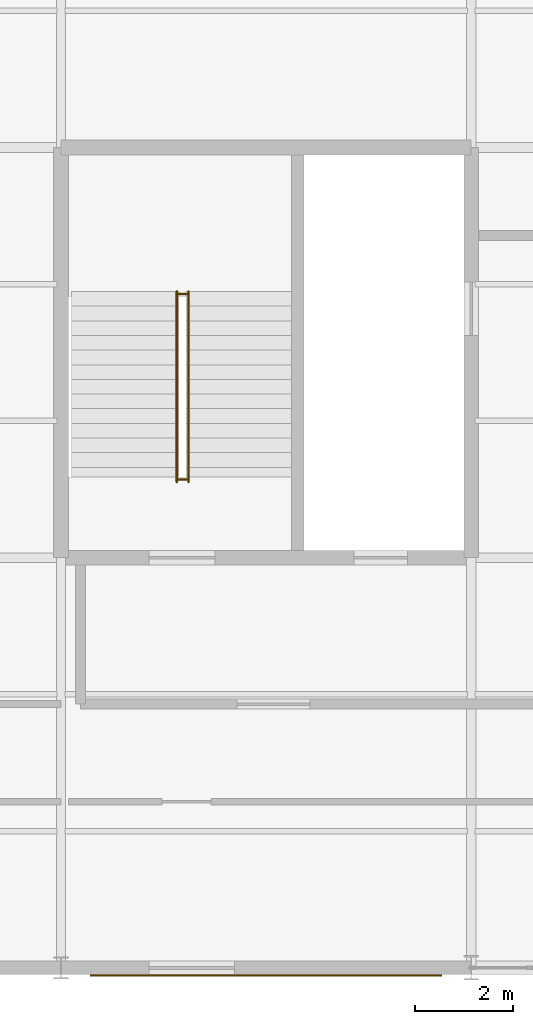
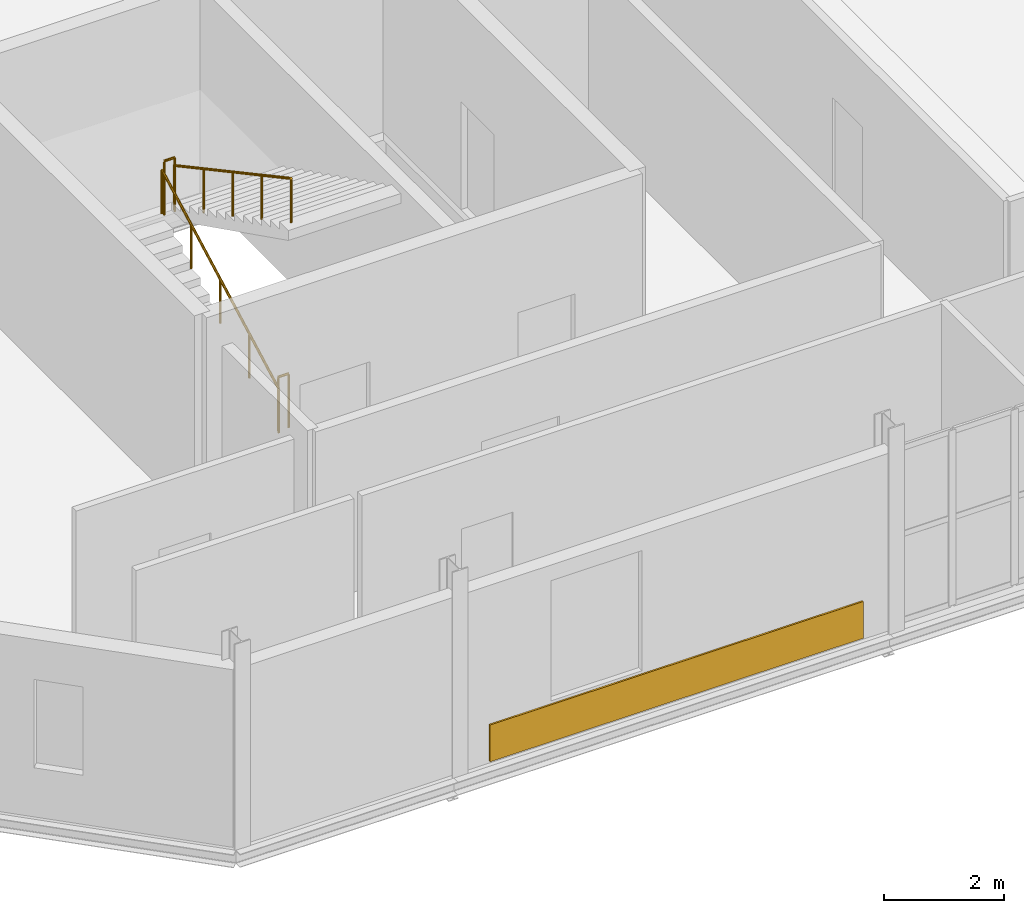
# One storey, part 61 of 65: 4 railings, 1 covering.
"""IFC4 building model written with IfcOpenShell, lengths in metres."""

import ifcopenshell
import ifcopenshell.guid

model = None  # the IFC model being written
_history = None  # IfcOwnerHistory: only IFC2X3 demands one
_inside = {}  # id of a spatial element -> (the spatial element, [elements in it])
_under = {}  # id of a project, library or spatial element -> (it, [spatial elements below it])
_declared = {}  # id of a project -> (the project, [libraries it declares])
_typed = {}  # id of a type object -> (the type object, [elements of that type])
_made_of = {}  # id of a material, layer set ... -> (it, [elements and type objects made of it])


def new_model(schema):
    """Start an empty IFC model of exactly this schema.

    Asked for "IFC4X3", IfcOpenShell would pick the latest addendum, in which some entities
    have other attributes; the version numbers below select the first issue.
    IFC2X3 requires an IfcOwnerHistory on every rooted entity: one is made here for all.
    """
    global model, _history
    if schema == "IFC4X3":
        model = ifcopenshell.file(schema_version=(4, 3, 0, 0))
    else:
        model = ifcopenshell.file(schema=schema)
    _inside.clear()
    _under.clear()
    _declared.clear()
    _typed.clear()
    _made_of.clear()
    _history = None
    if model.schema == "IFC2X3":
        org = make("IfcOrganization", Name="unknown")
        user = make(
            "IfcPersonAndOrganization",
            ThePerson=make("IfcPerson", FamilyName="unknown"),
            TheOrganization=org,
        )
        app = make(
            "IfcApplication",
            ApplicationDeveloper=org,
            Version="unknown",
            ApplicationFullName="unknown",
            ApplicationIdentifier="unknown",
        )
        _history = make(
            "IfcOwnerHistory",
            OwningUser=user,
            OwningApplication=app,
            ChangeAction="ADDED",
            CreationDate=0,
        )
    return model


def make(cls, **values):
    """One entity of the class cls with the attributes given. An attribute that is None is left unset."""
    return model.create_entity(
        cls, **{name: value for name, value in values.items() if value is not None}
    )


def rooted(cls, **values):
    """An entity with a GlobalId (a new one), such as an element, a storey or a relation."""
    return make(cls, GlobalId=ifcopenshell.guid.new(), OwnerHistory=_history, **values)


def si_unit(unit_type, name, prefix=None):
    """IfcSIUnit, for example si_unit("LENGTHUNIT", "METRE", prefix="MILLI")."""
    return make("IfcSIUnit", UnitType=unit_type, Prefix=prefix, Name=name)


def assignment(units):
    """IfcUnitAssignment: the units of a project."""
    return None if units is None else make("IfcUnitAssignment", Units=units)


def point(xyz):
    """IfcCartesianPoint."""
    return None if xyz is None else make("IfcCartesianPoint", Coordinates=xyz)


def direction(xyz):
    """IfcDirection."""
    return None if xyz is None else make("IfcDirection", DirectionRatios=xyz)


def frame(location, z_axis=None, x_axis=None):
    """IfcAxis2Placement3D, a coordinate frame: its origin and axes. An axis left out is left unset."""
    return make(
        "IfcAxis2Placement3D",
        Location=point(location),
        Axis=direction(z_axis),
        RefDirection=direction(x_axis),
    )


def frame_2d(location, x_axis=None):
    """IfcAxis2Placement2D, a coordinate frame in the plane: its origin and x axis."""
    return make(
        "IfcAxis2Placement2D", Location=point(location), RefDirection=direction(x_axis)
    )


def origin():
    """The frame at (0, 0, 0) with its axes left unset."""
    return frame((0.0, 0.0, 0.0))


def origin_2d():
    """The frame at (0, 0) in the plane with its x axis left unset."""
    return frame_2d((0.0, 0.0))


def place(relative_to, where):
    """IfcLocalPlacement: puts the frame where relative to a parent placement (None: the world)."""
    return make(
        "IfcLocalPlacement", PlacementRelTo=relative_to, RelativePlacement=where
    )


def context(
    kind, dimensions, precision=None, world=None, true_north=None, identifier=None
):
    """IfcGeometricRepresentationContext, for example the 3D "Model" context."""
    return make(
        "IfcGeometricRepresentationContext",
        ContextIdentifier=identifier,
        ContextType=kind,
        CoordinateSpaceDimension=dimensions,
        Precision=precision,
        WorldCoordinateSystem=world,
        TrueNorth=true_north,
    )


def subcontext(parent, identifier, kind, view, scale=None):
    """IfcGeometricRepresentationSubContext, for example "Body" below "Model"."""
    return make(
        "IfcGeometricRepresentationSubContext",
        ContextIdentifier=identifier,
        ContextType=kind,
        ParentContext=parent,
        TargetScale=scale,
        TargetView=view,
    )


def project(units=None, contexts=None):
    """IfcProject with its units and contexts."""
    return rooted(
        "IfcProject",
        Name="project",
        RepresentationContexts=contexts,
        UnitsInContext=assignment(units),
    )


def spatial(cls, under=None, at=None, **own):
    """A site, building, storey or space (cls), placed at a placement, below another one or the project."""
    s = rooted(cls, ObjectPlacement=at, **own)
    if under is not None:
        _under.setdefault(under.id(), (under, []))[1].append(s)
    return s


def profile(cls, at=None, kind="AREA", **sizes):
    """A parametric profile (cls). Its sizes go by their IFC names, for example OverallWidth=200.0."""
    return make(cls, ProfileType=kind, Position=at, **sizes)


def rectangle(**sizes):
    """IfcRectangleProfileDef."""
    return profile("IfcRectangleProfileDef", **sizes)


def circle(**sizes):
    """IfcCircleProfileDef."""
    return profile("IfcCircleProfileDef", **sizes)


def extrude(swept, where, along, depth):
    """IfcExtrudedAreaSolid: the profile swept, set in the frame where, extruded along a direction by depth."""
    return make(
        "IfcExtrudedAreaSolid",
        SweptArea=swept,
        Position=where,
        ExtrudedDirection=direction(along),
        Depth=depth,
    )


def shape(context_of_items, identifier, shape_type, items):
    """IfcShapeRepresentation: the items that make up one representation, for example the "Body"."""
    return make(
        "IfcShapeRepresentation",
        ContextOfItems=context_of_items,
        RepresentationIdentifier=identifier,
        RepresentationType=shape_type,
        Items=items,
    )


def material(Name=None, Category=None):
    """IfcMaterial."""
    return make("IfcMaterial", Name=Name, Category=Category)


def layer(
    of_material, thickness, ventilated=None, Name=None, Category=None, Priority=None
):
    """IfcMaterialLayer: one layer of a wall or slab, of a material (None: an air gap)."""
    return make(
        "IfcMaterialLayer",
        Material=of_material,
        LayerThickness=thickness,
        IsVentilated=ventilated,
        Name=Name,
        Category=Category,
        Priority=Priority,
    )


def layer_set(layers, Name=None):
    """IfcMaterialLayerSet."""
    return make("IfcMaterialLayerSet", MaterialLayers=layers, LayerSetName=Name)


def made_of(thing, what):
    """Note that an element or type object is made of a material, layer set ...; save() writes the relation."""
    if what is not None:
        _made_of.setdefault(what.id(), (what, []))[1].append(thing)
    return thing


def type_object(cls, material=None, **own):
    """A type object (cls), such as IfcWallType, which elements share."""
    return made_of(rooted(cls, **own), material)


def element(
    cls,
    number,
    at=None,
    inside=None,
    cuts=None,
    type_object=None,
    material=None,
    context=None,
    identifier="Body",
    shape_type=None,
    held_by="IfcProductDefinitionShape",
    body=None,
    shapes=None,
    **own,
):
    """One element of the class cls, such as IfcWall. Its Tag is "e" and its number.

    at: its placement. inside: the storey or other place that contains it. cuts: it is an
    opening in that element (IfcRelVoidsElement). A single representation is given by context,
    identifier, shape_type and body (its items); several are given by shapes. held_by: the class
    of the entity that holds the representations. save() writes the other relations.
    """
    e = rooted(cls, Tag="e%d" % number, ObjectPlacement=at, **own)
    if body is not None:
        shapes = [shape(context, identifier, shape_type, body)]
    if shapes is not None:
        e.Representation = make(held_by, Representations=shapes)
    if inside is not None:
        _inside.setdefault(inside.id(), (inside, []))[1].append(e)
    if cuts is not None:
        rooted(
            "IfcRelVoidsElement", RelatingBuildingElement=cuts, RelatedOpeningElement=e
        )
    if type_object is not None:
        _typed.setdefault(type_object.id(), (type_object, []))[1].append(e)
    return made_of(e, material)


def aggregate(whole, parts):
    """IfcRelAggregates: a whole, such as a stair, and the parts it consists of."""
    return rooted("IfcRelAggregates", RelatingObject=whole, RelatedObjects=parts)


def save(model, path):
    """Write the relations noted so far, then the file.

    IfcRelAggregates (storeys below a building ...), IfcRelContainedInSpatialStructure (elements
    in a storey), IfcRelDefinesByType, IfcRelAssociatesMaterial and IfcRelDeclares: one each for
    every whole, place, type object, material and project.
    """
    for whole, parts in _under.values():
        aggregate(whole, parts)
    for where, things in _inside.values():
        rooted(
            "IfcRelContainedInSpatialStructure",
            RelatedElements=things,
            RelatingStructure=where,
        )
    for kind, things in _typed.values():
        rooted("IfcRelDefinesByType", RelatedObjects=things, RelatingType=kind)
    for what, things in _made_of.values():
        rooted("IfcRelAssociatesMaterial", RelatedObjects=things, RelatingMaterial=what)
    for by, libraries in _declared.values():
        rooted("IfcRelDeclares", RelatingContext=by, RelatedDefinitions=libraries)
    model.write(path)


model = new_model("IFC4")

# Units and contexts
model_context = context("Model", 3, precision=1e-05, world=origin(), true_north=direction((0.0, 1.0)))
body_context = subcontext(model_context, "Body", "Model", "MODEL_VIEW")
ifc_project = project(units=[si_unit("LENGTHUNIT", "METRE"), si_unit("AREAUNIT", "SQUARE_METRE"), si_unit("VOLUMEUNIT", "CUBIC_METRE"), si_unit("PLANEANGLEUNIT", "RADIAN"), si_unit("MASSUNIT", "GRAM", prefix="KILO")], contexts=[model_context])

# Site, building, storey
site_placement = place(None, origin())
site = spatial("IfcSite", under=ifc_project, at=site_placement, CompositionType="ELEMENT")
building_placement = place(site_placement, origin())
building = spatial("IfcBuilding", under=site, at=building_placement, Name="Qalvenar Corner Mobility Hub", CompositionType="ELEMENT")
storey_placement = place(building_placement, frame((0.0, 0.0, 17.39990234375)))
storey = spatial("IfcBuildingStorey", under=building, at=storey_placement, Name="L04", CompositionType="ELEMENT", Elevation=17.39990234375)

# Covering
ifc_material_1 = material(Name="Kashikari Glazed Turquoise Faience Tile Cladding", Category="masonry")
ifc_layer = layer(ifc_material_1, 0.034912109375)
ifc_layer_set = layer_set([ifc_layer], Name="Kashikari Glazed Turquoise Faience Tile Cladding")
covering_type = type_object("IfcCoveringType", Name="COV-CLAD-FAI", PredefinedType="CLADDING", material=ifc_layer_set)
covering_placement = place(storey_placement, frame((12.60009765625, -0.155029296875, 0.045166015625), z_axis=(0.0, 0.0, 1.0), x_axis=(1.0, 0.0, 0.0)))
element("IfcCovering", 1, at=covering_placement, inside=storey, type_object=covering_type, Name="Kashikari Faience Spandrel V3-L04-S1", PredefinedType="CLADDING", context=body_context, shape_type="SweptSolid", body=[
    extrude(rectangle(XDim=7.199951171875, YDim=0.034912109375, at=origin_2d()), origin(), (0.0, 0.0, 1.0), 0.75),
])

# Railings
ifc_material_2 = material(Name="Art Nouveau Bronze-Finished Steel Balustrade", Category="steel")
railing_type_1 = type_object("IfcRailingType", Name="RL-GUARD-110", PredefinedType="GUARDRAIL", material=ifc_material_2)
for number, where, name in (
    (2, (10.7900390625, 10.0, 0.0), "Stair Arrival Slot Guard C1-L04"),
    (3, (10.7900390625, 13.800048828125, 2.10009765625), "Stair Half-Landing Well Guard ST1-L04"),
):
    element("IfcRailing", number, at=place(storey_placement, frame(where)), inside=storey, type_object=railing_type_1, Name=name, PredefinedType="GUARDRAIL", context=body_context, shape_type="SweptSolid", body=[
        extrude(circle(Radius=0.02392578125, at=origin_2d()), frame((0.0, 0.0, 1.09619140625), z_axis=(1.0, 0.0, 0.0), x_axis=(0.0, 1.0, 0.0)), (0.0, 0.0, 1.0), 0.199951171875),
        extrude(circle(Radius=0.02099609375, at=origin_2d()), origin(), (0.0, 0.0, 1.0), 1.072021484375),
        extrude(circle(Radius=0.02099609375, at=origin_2d()), frame((0.199951171875, 0.0, 0.0)), (0.0, 0.0, 1.0), 1.072021484375),
    ])
ifc_material_3 = material(Name="Brushed Stainless Steel Handrail", Category="steel")
railing_type_2 = type_object("IfcRailingType", Name="RL-HAND-092", PredefinedType="HANDRAIL", material=ifc_material_3)
railing_1_placement = place(storey_placement, frame((10.77001953125, 9.949951171875, 0.0)))
element("IfcRailing", 4, at=railing_1_placement, inside=storey, type_object=railing_type_2, Name="Stair Handrail ST1-L04-1", PredefinedType="HANDRAIL", context=body_context, shape_type="SweptSolid", body=[
    extrude(circle(Radius=0.02392578125, at=origin_2d()), frame((0.0, 0.0, 0.89599609375), z_axis=(0.0, 0.880469330154, 0.474103109733), x_axis=(-1.0, 0.0, 0.0)), (0.0, 0.0, 1.0), 4.4296875),
    extrude(circle(Radius=0.02099609375, at=origin_2d()), origin(), (0.0, 0.0, 1.0), 0.871826171875),
    extrude(circle(Radius=0.02099609375, at=origin_2d()), frame((0.0, 0.97509765625, 0.52490234375)), (0.0, 0.0, 1.0), 0.871826171875),
    extrude(circle(Radius=0.02099609375, at=origin_2d()), frame((0.0, 1.9501953125, 1.050048828125)), (0.0, 0.0, 1.0), 0.871826171875),
    extrude(circle(Radius=0.02099609375, at=origin_2d()), frame((0.0, 2.925048828125, 1.5751953125)), (0.0, 0.0, 1.0), 0.871826171875),
    extrude(circle(Radius=0.02099609375, at=origin_2d()), frame((0.0, 3.900146484375, 2.10009765625)), (0.0, 0.0, 1.0), 0.871826171875),
])
railing_2_placement = place(storey_placement, frame((11.010009765625, 13.85009765625, 2.10009765625)))
element("IfcRailing", 5, at=railing_2_placement, inside=storey, type_object=railing_type_2, Name="Stair Handrail ST1-L04-2", PredefinedType="HANDRAIL", context=body_context, shape_type="SweptSolid", body=[
    extrude(circle(Radius=0.02392578125, at=origin_2d()), frame((0.0, 0.0, 0.89599609375), z_axis=(0.0, -0.880469330154, 0.474103109733), x_axis=(1.0, 0.0, 0.0)), (0.0, 0.0, 1.0), 4.4296875),
    extrude(circle(Radius=0.02099609375, at=origin_2d()), origin(), (0.0, 0.0, 1.0), 0.871826171875),
    extrude(circle(Radius=0.02099609375, at=origin_2d()), frame((0.0, -0.97509765625, 0.52490234375)), (0.0, 0.0, 1.0), 0.871826171875),
    extrude(circle(Radius=0.02099609375, at=origin_2d()), frame((0.0, -1.9501953125, 1.050048828125)), (0.0, 0.0, 1.0), 0.871826171875),
    extrude(circle(Radius=0.02099609375, at=origin_2d()), frame((0.0, -2.925048828125, 1.5751953125)), (0.0, 0.0, 1.0), 0.871826171875),
    extrude(circle(Radius=0.02099609375, at=origin_2d()), frame((0.0, -3.900146484375, 2.10009765625)), (0.0, 0.0, 1.0), 0.871826171875),
])

save(model, "model.ifc")
